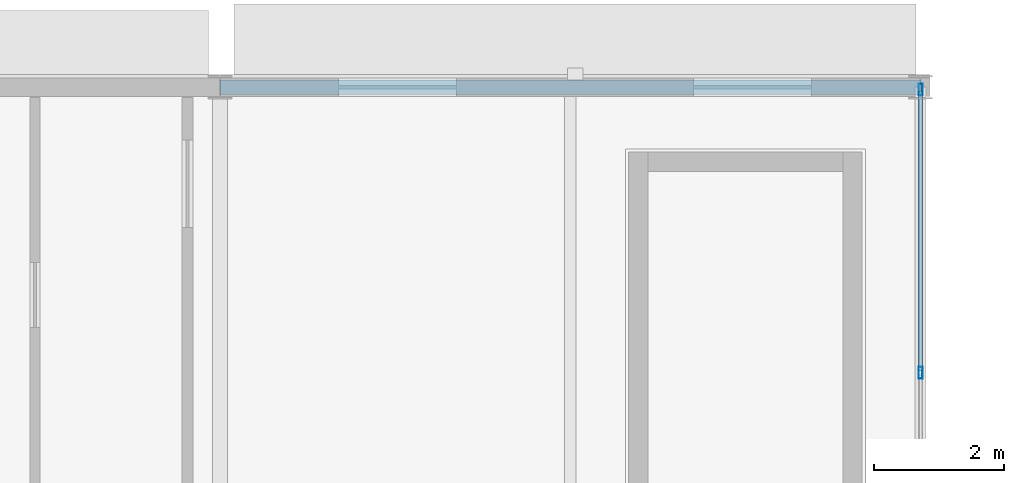
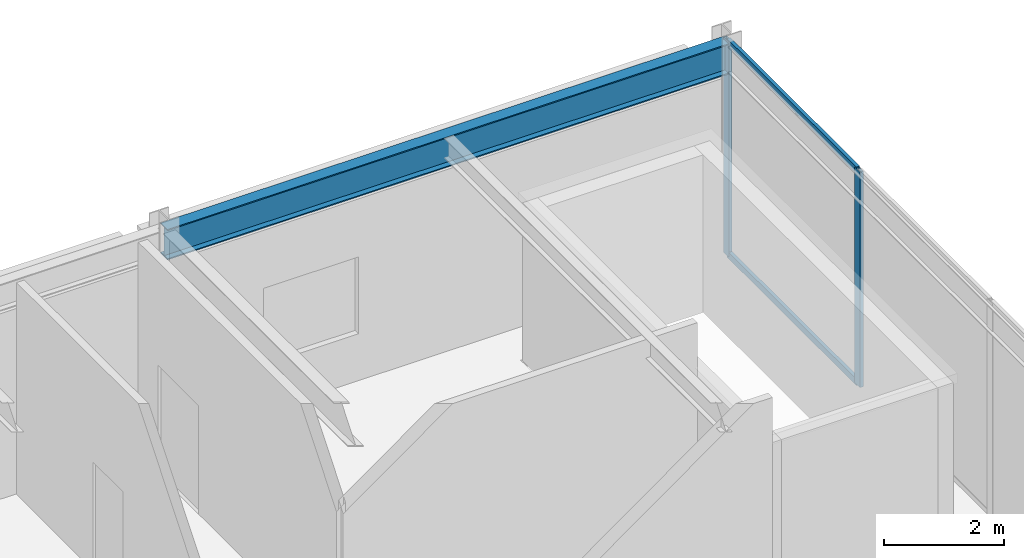
# One storey, part 25 of 50: 4 members, 1 beam, 1 element without a shape of its own.
"""IFC4 building model written with IfcOpenShell, lengths in metres."""

from ifc_helpers import new_model, si_unit, direction, frame, origin, origin_2d, place, context, subcontext, project, spatial, hollow_rectangle, i_section, extrude, material, material_profile, profile_set, type_object, element, aggregate, save


model = new_model("IFC4")

# Units and contexts
model_context = context("Model", 3, precision=1e-05, world=origin(), true_north=direction((0.0, 1.0)))
body_context = subcontext(model_context, "Body", "Model", "MODEL_VIEW")
ifc_project = project(units=[si_unit("LENGTHUNIT", "METRE"), si_unit("AREAUNIT", "SQUARE_METRE"), si_unit("VOLUMEUNIT", "CUBIC_METRE"), si_unit("PLANEANGLEUNIT", "RADIAN"), si_unit("MASSUNIT", "GRAM", prefix="KILO")], contexts=[model_context])

# Site, building, storey
site_placement = place(None, origin())
site = spatial("IfcSite", under=ifc_project, at=site_placement, CompositionType="ELEMENT")
building_placement = place(site_placement, origin())
building = spatial("IfcBuilding", under=site, at=building_placement, Name="Almandine Court Research Institute", CompositionType="ELEMENT")
storey_placement = place(building_placement, frame((0.0, 0.0, 23.449951171875)))
storey = spatial("IfcBuildingStorey", under=building, at=storey_placement, Name="L05", CompositionType="ELEMENT", Elevation=23.449951171875)

# Beam
ifc_material_1 = material(Name="Steel ASTM A992 Grade 50", Category="steel")
ifc_material_profile_1 = material_profile(ifc_material_1, i_section(OverallWidth=0.22998046875, OverallDepth=0.616943359375, WebThickness=0.012939453125, FlangeThickness=0.02197265625, at=origin_2d()), Name="W610x140")
ifc_profile_set_1 = profile_set([ifc_material_profile_1], Name="Steel ASTM A992 Grade 50")
beam_type = type_object("IfcBeamType", Name="Beam-G-02", PredefinedType="BEAM", material=ifc_profile_set_1)
beam_placement = place(storey_placement, frame((163.199951171875, 84.0, 4.01513671875), z_axis=(1.0, 0.0, 0.0), x_axis=(0.0, 1.0, 0.0)))
element("IfcBeam", 1, at=beam_placement, inside=storey, type_object=beam_type, Name="L05 V4 Primary X Girder", PredefinedType="BEAM", context=body_context, shape_type="SweptSolid", body=[
    extrude(i_section(OverallWidth=0.22998046875, OverallDepth=0.616943359375, WebThickness=0.012939453125, FlangeThickness=0.02197265625, at=origin_2d()), origin(), (0.0, 0.0, 1.0), 10.800048828125),
])

# Curtain wall, members
ifc_material_2 = material(Name="Unitised Curtain Wall Framing and Solar Glazing", Category="glass")
curtain_wall_type = type_object("IfcCurtainWallType", Name="CW-CWJ-16", PredefinedType="USERDEFINED", material=ifc_material_2)
curtain_wall_placement = place(storey_placement, origin())
curtain_wall = element("IfcCurtainWall", 2, at=curtain_wall_placement, inside=storey, type_object=curtain_wall_type, Name="L05 Wet Lab East Jali Curtain Wall 7", ObjectType="SOLAR JALI SCREEN", PredefinedType="USERDEFINED")
ifc_material_3 = material(Name="Anodised Aluminium AW-6063-T6", Category="aluminium")
ifc_material_profile_2 = material_profile(ifc_material_3, hollow_rectangle(XDim=0.06494140625, YDim=0.179931640625, WallThickness=0.00390625, at=origin_2d()), Name="ALU RHS 65x180x4")
ifc_profile_set_2 = profile_set([ifc_material_profile_2], Name="Anodised Aluminium AW-6063-T6")
member_type_1 = type_object("IfcMemberType", Name="CWMul-65x180", PredefinedType="MULLION", material=ifc_profile_set_2)
member_1_placement = place(storey_placement, frame((174.0, 83.96337890625, 0.0), z_axis=(0.0, 0.0, 1.0), x_axis=(1.0, 0.0, 0.0)))
member_1 = element("IfcMember", 3, at=member_1_placement, type_object=member_type_1, Name="CWJ-16 mullion 1", PredefinedType="MULLION", context=body_context, shape_type="SweptSolid", body=[
    extrude(hollow_rectangle(XDim=0.06494140625, YDim=0.179931640625, WallThickness=0.00390625, at=origin_2d()), origin(), (0.0, 0.0, 1.0), 4.3701171875),
])
member_2_placement = place(storey_placement, frame((174.0, 79.5986328125, 0.0), z_axis=(0.0, 0.0, 1.0), x_axis=(1.0, 0.0, 0.0)))
member_2 = element("IfcMember", 4, at=member_2_placement, type_object=member_type_1, Name="CWJ-16 mullion 2", PredefinedType="MULLION", context=body_context, shape_type="SweptSolid", body=[
    extrude(hollow_rectangle(XDim=0.06494140625, YDim=0.179931640625, WallThickness=0.00390625, at=origin_2d()), origin(), (0.0, 0.0, 1.0), 4.3701171875),
])
ifc_material_profile_3 = material_profile(ifc_material_3, hollow_rectangle(XDim=0.06494140625, YDim=0.1298828125, WallThickness=0.00390625, at=origin_2d()), Name="ALU RHS 65x130x4")
ifc_profile_set_3 = profile_set([ifc_material_profile_3], Name="Anodised Aluminium AW-6063-T6")
member_type_2 = type_object("IfcMemberType", Name="CWTrn-65x130", PredefinedType="NOTDEFINED", material=ifc_profile_set_3)
member_3_placement = place(storey_placement, frame((174.0, 83.930908203125, 0.032470703125), z_axis=(0.0, -1.0, 0.0), x_axis=(1.0, 0.0, 0.0)))
member_3 = element("IfcMember", 5, at=member_3_placement, type_object=member_type_2, Name="CWJ-16 transom 1.1", ObjectType="TRANSOM", PredefinedType="USERDEFINED", context=body_context, shape_type="SweptSolid", body=[
    extrude(hollow_rectangle(XDim=0.06494140625, YDim=0.1298828125, WallThickness=0.00390625, at=origin_2d()), origin(), (0.0, 0.0, 1.0), 4.2998046875),
])
member_4_placement = place(storey_placement, frame((174.0, 83.930908203125, 4.337646484375), z_axis=(0.0, -1.0, 0.0), x_axis=(1.0, 0.0, 0.0)))
member_4 = element("IfcMember", 6, at=member_4_placement, type_object=member_type_2, Name="CWJ-16 transom 1.2", ObjectType="TRANSOM", PredefinedType="USERDEFINED", context=body_context, shape_type="SweptSolid", body=[
    extrude(hollow_rectangle(XDim=0.06494140625, YDim=0.1298828125, WallThickness=0.00390625, at=origin_2d()), origin(), (0.0, 0.0, 1.0), 4.2998046875),
])
aggregate(curtain_wall, [member_1, member_2, member_3, member_4])

save(model, "model.ifc")
